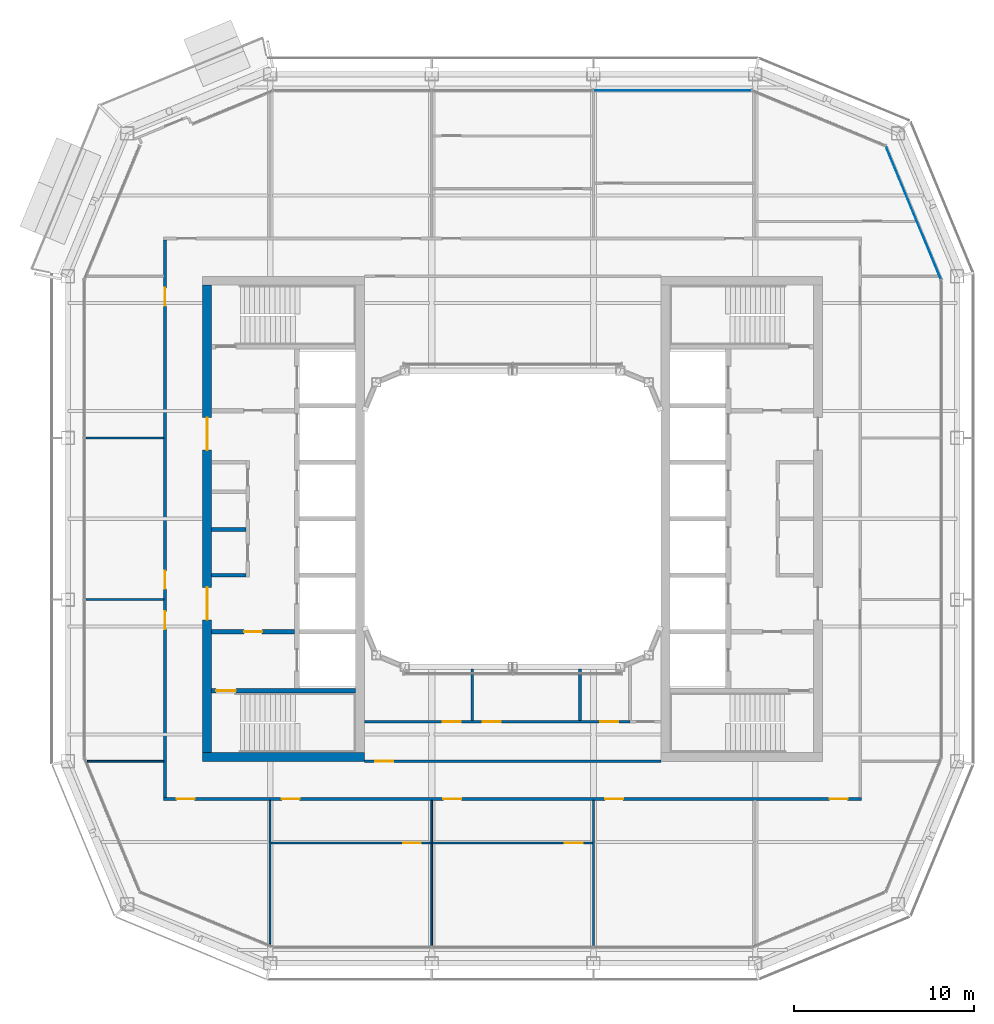
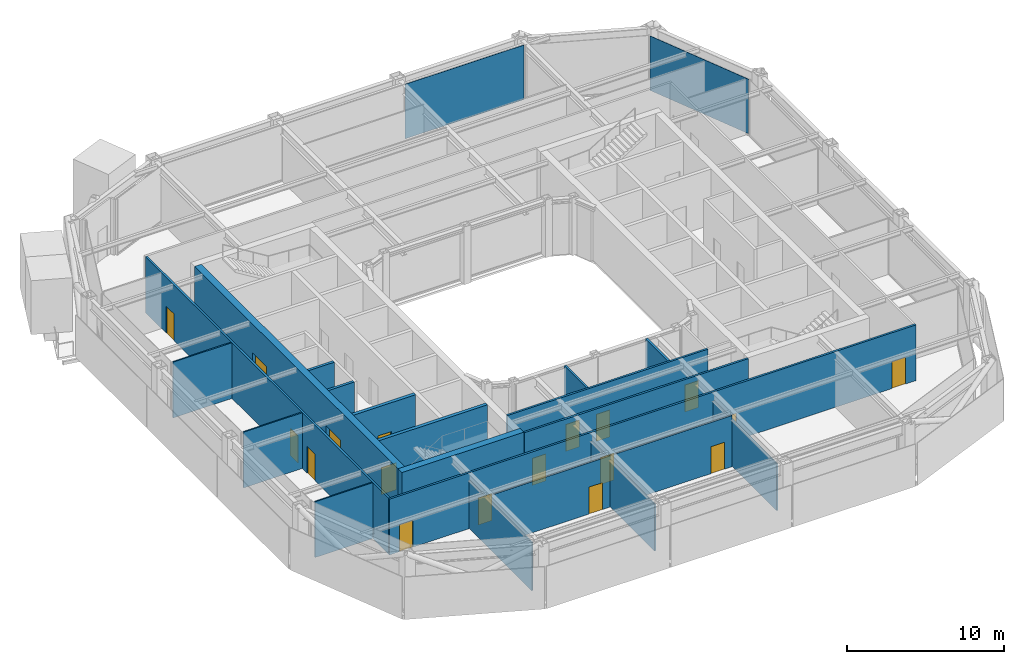
# One storey, part 11 of 21: 20 walls, 18 doors, 2 plates, 18 openings, 2 elements without a shape of their own.
"""IFC4 building model written with IfcOpenShell, lengths in metres."""

from ifc_helpers import new_model, si_unit, direction, frame, frame_2d, origin, origin_2d, place, context, subcontext, project, spatial, rectangle, extrude, material, layer, layer_set, type_object, element, fill, aggregate, save


model = new_model("IFC4")

# Units and contexts
model_context = context("Model", 3, precision=1e-05, world=origin(), true_north=direction((0.0, 1.0)))
body_context = subcontext(model_context, "Body", "Model", "MODEL_VIEW")
ifc_project = project(units=[si_unit("LENGTHUNIT", "METRE"), si_unit("AREAUNIT", "SQUARE_METRE"), si_unit("VOLUMEUNIT", "CUBIC_METRE"), si_unit("PLANEANGLEUNIT", "RADIAN"), si_unit("MASSUNIT", "GRAM", prefix="KILO")], contexts=[model_context])

# Site, building, storey
site_placement = place(None, origin())
site = spatial("IfcSite", under=ifc_project, at=site_placement, CompositionType="ELEMENT")
building_placement = place(site_placement, origin())
building = spatial("IfcBuilding", under=site, at=building_placement, Name="Siwar Civic Tower", CompositionType="ELEMENT")
storey_placement = place(building_placement, frame((0.0, 0.0, 312.199951171875)))
storey = spatial("IfcBuildingStorey", under=building, at=storey_placement, Name="L67", CompositionType="ELEMENT", Elevation=312.199951171875)

# Curtain wall, plate
ifc_material_1 = material(Name="Aluminium and glass", Category="aluminium")
ifc_layer_1 = layer(ifc_material_1, 0.159912109375)
ifc_layer_set_1 = layer_set([ifc_layer_1], Name="Aluminium and glass")
curtain_wall_type_1 = type_object("IfcCurtainWallType", Name="ENV-CW-D", PredefinedType="NOTDEFINED", material=ifc_layer_set_1)
curtain_wall_1_placement = place(storey_placement, origin())
curtain_wall_1 = element("IfcCurtainWall", 1, at=curtain_wall_1_placement, inside=storey, type_object=curtain_wall_type_1, Name="Curtain wall D N", PredefinedType="NOTDEFINED")
ifc_material_2 = material(Name="Glass clear laminated", Category="glass")
ifc_layer_2 = layer(ifc_material_2, 0.030029296875)
ifc_layer_set_2 = layer_set([ifc_layer_2], Name="Glass clear laminated")
plate_type_1 = type_object("IfcPlateType", Name="ENV-PANEL-D", PredefinedType="CURTAIN_PANEL", material=ifc_layer_set_2)
plate_1_placement = place(storey_placement, frame((8.910400390625, 23.85009765625, 0.10009765625), z_axis=(0.0, 0.0, 1.0), x_axis=(-1.0, 0.0, 0.0)))
plate_1 = element("IfcPlate", 2, at=plate_1_placement, type_object=plate_type_1, Name="Curtain panel D N 1", PredefinedType="CURTAIN_PANEL", context=body_context, shape_type="SweptSolid", body=[
    extrude(rectangle(XDim=8.760986328125, YDim=0.030029296875, at=origin_2d()), origin(), (0.0, 0.0, 1.0), 4.25),
])
aggregate(curtain_wall_1, [plate_1])

ifc_material_3 = material(Name="Aluminium clad insulated panel", Category="aluminium")
ifc_layer_3 = layer(ifc_material_3, 0.159912109375)
ifc_layer_set_3 = layer_set([ifc_layer_3], Name="Aluminium clad insulated panel")
curtain_wall_type_2 = type_object("IfcCurtainWallType", Name="ENV-CW-DX", PredefinedType="NOTDEFINED", material=ifc_layer_set_3)
curtain_wall_2_placement = place(storey_placement, origin())
curtain_wall_2 = element("IfcCurtainWall", 3, at=curtain_wall_2_placement, inside=storey, type_object=curtain_wall_type_2, Name="Curtain wall D NE1", PredefinedType="NOTDEFINED")
ifc_material_4 = material(Name="Aluminium clad insulated panel", Category="aluminium")
ifc_layer_4 = layer(ifc_material_4, 0.030029296875)
ifc_layer_set_4 = layer_set([ifc_layer_4], Name="Aluminium clad insulated panel")
plate_type_2 = type_object("IfcPlateType", Name="ENV-PANEL-DX", PredefinedType="CURTAIN_PANEL", material=ifc_layer_set_4)
plate_2_placement = place(storey_placement, frame((22.321044921875, 17.01220703125, 0.10009765625), z_axis=(0.0, 0.0, 1.0), x_axis=(-0.382683432365, 0.923879532511, 0.0)))
plate_2 = element("IfcPlate", 4, at=plate_2_placement, type_object=plate_type_2, Name="Curtain panel D NE1 1", PredefinedType="CURTAIN_PANEL", context=body_context, shape_type="SweptSolid", body=[
    extrude(rectangle(XDim=7.9306640625, YDim=0.030029296875, at=origin_2d()), origin(), (0.0, 0.0, 1.0), 4.25),
])
aggregate(curtain_wall_2, [plate_2])

# Walls
ifc_material_5 = material(Name="Gypsum board on steel studs", Category="steel")
ifc_layer_5 = layer(ifc_material_5, 0.199951171875)
ifc_layer_set_5 = layer_set([ifc_layer_5], Name="Gypsum board on steel studs")
wall_type_1 = type_object("IfcWallType", Name="CORE-PARTITION-200", PredefinedType="PARTITIONING", material=ifc_layer_set_5)
for number, where, z_axis, x_axis, name in (
    (5, (-14.85009765625, -3.14990234375, 0.0), (0.0, 0.0, 1.0), (-1.0, 0.0, 0.0), "Core partition W"),
    (6, (-14.85009765625, -0.60009765625, 0.0), (0.0, 0.0, 1.0), (-1.0, 0.0, 0.0), "Core partition W"),
):
    element("IfcWall", number, at=place(storey_placement, frame(where, z_axis=z_axis, x_axis=x_axis)), inside=storey, type_object=wall_type_1, Name=name, PredefinedType="PARTITIONING", context=body_context, shape_type="SweptSolid", body=[
        extrude(rectangle(XDim=1.89990234375, YDim=0.199951171875, at=frame_2d((0.949951171875, 0.0))), origin(), (0.0, 0.0, 1.0), 4.35009765625),
    ])

# Wall, opening, door
ifc_material_6 = material(Name="Concrete C60/75", Category="concrete")
ifc_layer_6 = layer(ifc_material_6, 0.25)
ifc_layer_set_6 = layer_set([ifc_layer_6], Name="Concrete C60/75")
wall_type_2 = type_object("IfcWallType", Name="CORE-WALL-RC250", PredefinedType="SHEAR", material=ifc_layer_set_6)
wall_1_placement = place(storey_placement, frame((-12.14990234375, -6.300048828125, 0.0), z_axis=(0.0, 0.0, 1.0), x_axis=(-1.0, 0.0, 0.0)))
wall_1 = element("IfcWall", 7, at=wall_1_placement, inside=storey, type_object=wall_type_2, Name="Core wall W", PredefinedType="SHEAR", context=body_context, shape_type="SweptSolid", body=[
    extrude(rectangle(XDim=4.60009765625, YDim=0.25, at=frame_2d((2.300048828125, 0.0))), origin(), (0.0, 0.0, 1.0), 4.35009765625),
])
opening_1_placement = place(wall_1_placement, frame((1.800048828125, 0.0, 0.0)))
opening_1 = element("IfcOpeningElement", 8, at=opening_1_placement, cuts=wall_1, Name="Opening L67-CW02", PredefinedType="OPENING", context=body_context, shape_type="SweptSolid", body=[
    extrude(rectangle(XDim=1.0, YDim=2.10009765625, at=frame_2d((0.5, 1.050048828125))), frame((0.0, 0.135009765625, 0.0), z_axis=(0.0, -1.0, 0.0), x_axis=(1.0, 0.0, 0.0)), (0.0, 0.0, 1.0), 0.27001953125),
])
ifc_material_7 = material(Name="Steel door leaf", Category="steel")
door_type_1 = type_object("IfcDoorType", Name="CORE-DOOR-FD30S", OperationType="SINGLE_SWING_LEFT", PredefinedType="DOOR", material=ifc_material_7)
door_1_placement = place(opening_1_placement, origin())
door_1 = element("IfcDoor", 9, at=door_1_placement, inside=storey, type_object=door_type_1, Name="Service lobby door L67-CW02", OperationType="SINGLE_SWING_RIGHT", OverallHeight=2.10009765625, OverallWidth=1.0, PredefinedType="DOOR", context=body_context, shape_type="SweptSolid", body=[
    extrude(rectangle(XDim=1.0, YDim=2.10009765625, at=frame_2d((0.5, 1.050048828125))), frame((0.0, 0.02490234375, 0.0), z_axis=(0.0, -1.0, 0.0), x_axis=(1.0, 0.0, 0.0)), (0.0, 0.0, 1.0), 0.050048828125),
])
fill(opening_1, door_1)

wall_2_placement = place(storey_placement, frame((-8.75, -9.574951171875, 0.0), z_axis=(0.0, 0.0, 1.0), x_axis=(-1.0, 0.0, 0.0)))
wall_2 = element("IfcWall", 10, at=wall_2_placement, inside=storey, type_object=wall_type_2, Name="Core wall W", PredefinedType="SHEAR", context=body_context, shape_type="SweptSolid", body=[
    extrude(rectangle(XDim=8.0, YDim=0.25, at=frame_2d((4.0, 0.0))), origin(), (0.0, 0.0, 1.0), 4.35009765625),
])
opening_2_placement = place(wall_2_placement, frame((6.64990234375, 0.0, 0.0)))
opening_2 = element("IfcOpeningElement", 11, at=opening_2_placement, cuts=wall_2, Name="Opening L67-CW04", PredefinedType="OPENING", context=body_context, shape_type="SweptSolid", body=[
    extrude(rectangle(XDim=1.10009765625, YDim=2.10009765625, at=frame_2d((0.550048828125, 1.050048828125))), frame((0.0, 0.135009765625, 0.0), z_axis=(0.0, -1.0, 0.0), x_axis=(1.0, 0.0, 0.0)), (0.0, 0.0, 1.0), 0.27001953125),
])
ifc_material_8 = material(Name="Steel door leaf", Category="steel")
door_type_2 = type_object("IfcDoorType", Name="CORE-DOOR-FD60S", OperationType="SINGLE_SWING_LEFT", PredefinedType="DOOR", material=ifc_material_8)
door_2_placement = place(opening_2_placement, origin())
door_2 = element("IfcDoor", 12, at=door_2_placement, inside=storey, type_object=door_type_2, Name="Stair door L67-CW04", OperationType="SINGLE_SWING_LEFT", OverallHeight=2.10009765625, OverallWidth=1.10009765625, PredefinedType="DOOR", context=body_context, shape_type="SweptSolid", body=[
    extrude(rectangle(XDim=1.10009765625, YDim=2.10009765625, at=frame_2d((0.550048828125, 1.050048828125))), frame((0.0, 0.02490234375, 0.0), z_axis=(0.0, -1.0, 0.0), x_axis=(1.0, 0.0, 0.0)), (0.0, 0.0, 1.0), 0.050048828125),
])
fill(opening_2, door_2)

# Wall, openings, doors
ifc_material_9 = material(Name="Concrete C60/75", Category="concrete")
ifc_layer_7 = layer(ifc_material_9, 0.5)
ifc_layer_set_7 = layer_set([ifc_layer_7], Name="Concrete C60/75")
wall_type_3 = type_object("IfcWallType", Name="CORE-WALL-RC500", PredefinedType="SHEAR", material=ifc_layer_set_7)
wall_3_placement = place(storey_placement, frame((-17.0, -13.0, 0.0), z_axis=(0.0, 0.0, 1.0), x_axis=(0.0, 1.0, 0.0)))
wall_3 = element("IfcWall", 13, at=wall_3_placement, inside=storey, type_object=wall_type_3, Name="Core wall W", PredefinedType="SHEAR", context=body_context, shape_type="SweptSolid", body=[
    extrude(rectangle(XDim=26.0, YDim=0.5, at=frame_2d((13.0, 0.0))), origin(), (0.0, 0.0, 1.0), 4.35009765625),
])
opening_3_placement = place(wall_3_placement, frame((16.824951171875, 0.0, 0.0)))
opening_3 = element("IfcOpeningElement", 14, at=opening_3_placement, cuts=wall_3, Name="Opening L67-CW05", PredefinedType="OPENING", context=body_context, shape_type="SweptSolid", body=[
    extrude(rectangle(XDim=1.800048828125, YDim=2.10009765625, at=frame_2d((0.89990234375, 1.050048828125))), frame((0.0, 0.260009765625, 0.0), z_axis=(0.0, -1.0, 0.0), x_axis=(1.0, 0.0, 0.0)), (0.0, 0.0, 1.0), 0.52001953125),
])
opening_4_placement = place(wall_3_placement, frame((7.375, 0.0, 0.0)))
opening_4 = element("IfcOpeningElement", 15, at=opening_4_placement, cuts=wall_3, Name="Opening L67-CW06", PredefinedType="OPENING", context=body_context, shape_type="SweptSolid", body=[
    extrude(rectangle(XDim=1.800048828125, YDim=2.10009765625, at=frame_2d((0.89990234375, 1.050048828125))), frame((0.0, 0.260009765625, 0.0), z_axis=(0.0, -1.0, 0.0), x_axis=(1.0, 0.0, 0.0)), (0.0, 0.0, 1.0), 0.52001953125),
])
ifc_material_10 = material(Name="Steel door leaf", Category="steel")
door_type_3 = type_object("IfcDoorType", Name="CORE-DOOR-PORT", OperationType="DOUBLE_DOOR_DOUBLE_SWING", PredefinedType="DOOR", material=ifc_material_10)
door_3_placement = place(opening_3_placement, origin())
door_3 = element("IfcDoor", 16, at=door_3_placement, inside=storey, type_object=door_type_3, Name="Core entrance door L67-CW05", OperationType="DOUBLE_DOOR_DOUBLE_SWING", OverallHeight=2.10009765625, OverallWidth=1.800048828125, PredefinedType="DOOR", context=body_context, shape_type="SweptSolid", body=[
    extrude(rectangle(XDim=1.800048828125, YDim=2.10009765625, at=frame_2d((0.89990234375, 1.050048828125))), frame((0.0, 0.02490234375, 0.0), z_axis=(0.0, -1.0, 0.0), x_axis=(1.0, 0.0, 0.0)), (0.0, 0.0, 1.0), 0.050048828125),
])
fill(opening_3, door_3)
door_4_placement = place(opening_4_placement, origin())
door_4 = element("IfcDoor", 17, at=door_4_placement, inside=storey, type_object=door_type_3, Name="Core entrance door L67-CW06", OperationType="DOUBLE_DOOR_DOUBLE_SWING", OverallHeight=2.10009765625, OverallWidth=1.800048828125, PredefinedType="DOOR", context=body_context, shape_type="SweptSolid", body=[
    extrude(rectangle(XDim=1.800048828125, YDim=2.10009765625, at=frame_2d((0.89990234375, 1.050048828125))), frame((0.0, 0.02490234375, 0.0), z_axis=(0.0, -1.0, 0.0), x_axis=(1.0, 0.0, 0.0)), (0.0, 0.0, 1.0), 0.050048828125),
])
fill(opening_4, door_4)

# Wall
wall_4_placement = place(storey_placement, frame((-8.25, -13.25, 0.0), z_axis=(0.0, 0.0, 1.0), x_axis=(-1.0, 0.0, 0.0)))
element("IfcWall", 18, at=wall_4_placement, inside=storey, type_object=wall_type_3, Name="Core wall W", PredefinedType="SHEAR", context=body_context, shape_type="SweptSolid", body=[
    extrude(rectangle(XDim=9.0, YDim=0.5, at=frame_2d((4.5, 0.0))), origin(), (0.0, 0.0, 1.0), 4.35009765625),
])

# Wall, openings, doors
ifc_material_11 = material(Name="Gypsum board on steel studs", Category="steel")
ifc_layer_8 = layer(ifc_material_11, 0.14990234375)
ifc_layer_set_8 = layer_set([ifc_layer_8], Name="Gypsum board on steel studs")
wall_type_4 = type_object("IfcWallType", Name="CORRIDOR PARTITION 150 EI 30", PredefinedType="PARTITIONING", material=ifc_layer_set_8)
wall_5_placement = place(storey_placement, frame((-19.425048828125, -15.60009765625, 0.0), z_axis=(0.0, 0.0, 1.0), x_axis=(1.0, 0.0, 0.0)))
wall_5 = element("IfcWall", 19, at=wall_5_placement, inside=storey, type_object=wall_type_4, Name="L67/wall/P02", PredefinedType="PARTITIONING", context=body_context, shape_type="SweptSolid", body=[
    extrude(rectangle(XDim=38.85009765625, YDim=0.14990234375, at=frame_2d((19.425048828125, 0.0))), origin(), (0.0, 0.0, 1.0), 4.35009765625),
])
opening_5_placement = place(wall_5_placement, frame((6.574951171875, 0.0, 0.0)))
opening_5 = element("IfcOpeningElement", 20, at=opening_5_placement, cuts=wall_5, Name="Opening D1", PredefinedType="OPENING", context=body_context, shape_type="SweptSolid", body=[
    extrude(rectangle(XDim=1.0, YDim=2.10009765625, at=frame_2d((0.5, 1.050048828125))), frame((0.0, 0.0849609375, 0.0), z_axis=(0.0, -1.0, 0.0), x_axis=(1.0, 0.0, 0.0)), (0.0, 0.0, 1.0), 0.169921875),
])
opening_6_placement = place(wall_5_placement, frame((15.574951171875, 0.0, 0.0)))
opening_6 = element("IfcOpeningElement", 21, at=opening_6_placement, cuts=wall_5, Name="Opening D1", PredefinedType="OPENING", context=body_context, shape_type="SweptSolid", body=[
    extrude(rectangle(XDim=1.0, YDim=2.10009765625, at=frame_2d((0.5, 1.050048828125))), frame((0.0, 0.0849609375, 0.0), z_axis=(0.0, -1.0, 0.0), x_axis=(1.0, 0.0, 0.0)), (0.0, 0.0, 1.0), 0.169921875),
])
opening_7_placement = place(wall_5_placement, frame((24.574951171875, 0.0, 0.0)))
opening_7 = element("IfcOpeningElement", 22, at=opening_7_placement, cuts=wall_5, Name="Opening D1", PredefinedType="OPENING", context=body_context, shape_type="SweptSolid", body=[
    extrude(rectangle(XDim=1.0, YDim=2.10009765625, at=frame_2d((0.5, 1.050048828125))), frame((0.0, 0.0849609375, 0.0), z_axis=(0.0, -1.0, 0.0), x_axis=(1.0, 0.0, 0.0)), (0.0, 0.0, 1.0), 0.169921875),
])
opening_8_placement = place(wall_5_placement, frame((0.72509765625, 0.0, 0.0)))
opening_8 = element("IfcOpeningElement", 23, at=opening_8_placement, cuts=wall_5, Name="Opening D1", PredefinedType="OPENING", context=body_context, shape_type="SweptSolid", body=[
    extrude(rectangle(XDim=1.0, YDim=2.10009765625, at=frame_2d((0.5, 1.050048828125))), frame((0.0, 0.0849609375, 0.0), z_axis=(0.0, -1.0, 0.0), x_axis=(1.0, 0.0, 0.0)), (0.0, 0.0, 1.0), 0.169921875),
])
opening_9_placement = place(wall_5_placement, frame((37.074951171875, 0.0, 0.0)))
opening_9 = element("IfcOpeningElement", 24, at=opening_9_placement, cuts=wall_5, Name="Opening D1", PredefinedType="OPENING", context=body_context, shape_type="SweptSolid", body=[
    extrude(rectangle(XDim=1.0, YDim=2.10009765625, at=frame_2d((0.5, 1.050048828125))), frame((0.0, 0.0849609375, 0.0), z_axis=(0.0, -1.0, 0.0), x_axis=(1.0, 0.0, 0.0)), (0.0, 0.0, 1.0), 0.169921875),
])
ifc_material_12 = material(Name="Timber, painted", Category="wood")
door_type_4 = type_object("IfcDoorType", Name="DOOR 1000 X 2100 FD30", OperationType="SINGLE_SWING_LEFT", PredefinedType="DOOR", material=ifc_material_12)
door_5_placement = place(opening_5_placement, origin())
door_5 = element("IfcDoor", 25, at=door_5_placement, inside=storey, type_object=door_type_4, Name="L67-D07", OperationType="SINGLE_SWING_LEFT", OverallHeight=2.10009765625, OverallWidth=1.0, PredefinedType="DOOR", context=body_context, shape_type="SweptSolid", body=[
    extrude(rectangle(XDim=1.0, YDim=2.10009765625, at=frame_2d((0.5, 1.050048828125))), frame((0.0, 0.02490234375, 0.0), z_axis=(0.0, -1.0, 0.0), x_axis=(1.0, 0.0, 0.0)), (0.0, 0.0, 1.0), 0.050048828125),
])
fill(opening_5, door_5)
door_6_placement = place(opening_6_placement, origin())
door_6 = element("IfcDoor", 26, at=door_6_placement, inside=storey, type_object=door_type_4, Name="L67-D09", OperationType="SINGLE_SWING_LEFT", OverallHeight=2.10009765625, OverallWidth=1.0, PredefinedType="DOOR", context=body_context, shape_type="SweptSolid", body=[
    extrude(rectangle(XDim=1.0, YDim=2.10009765625, at=frame_2d((0.5, 1.050048828125))), frame((0.0, 0.02490234375, 0.0), z_axis=(0.0, -1.0, 0.0), x_axis=(1.0, 0.0, 0.0)), (0.0, 0.0, 1.0), 0.050048828125),
])
fill(opening_6, door_6)
door_7_placement = place(opening_7_placement, origin())
door_7 = element("IfcDoor", 27, at=door_7_placement, inside=storey, type_object=door_type_4, Name="L67-D11", OperationType="SINGLE_SWING_LEFT", OverallHeight=2.10009765625, OverallWidth=1.0, PredefinedType="DOOR", context=body_context, shape_type="SweptSolid", body=[
    extrude(rectangle(XDim=1.0, YDim=2.10009765625, at=frame_2d((0.5, 1.050048828125))), frame((0.0, 0.02490234375, 0.0), z_axis=(0.0, -1.0, 0.0), x_axis=(1.0, 0.0, 0.0)), (0.0, 0.0, 1.0), 0.050048828125),
])
fill(opening_7, door_7)
door_8_placement = place(opening_8_placement, origin())
door_8 = element("IfcDoor", 28, at=door_8_placement, inside=storey, type_object=door_type_4, Name="L67-D15", OperationType="SINGLE_SWING_LEFT", OverallHeight=2.10009765625, OverallWidth=1.0, PredefinedType="DOOR", context=body_context, shape_type="SweptSolid", body=[
    extrude(rectangle(XDim=1.0, YDim=2.10009765625, at=frame_2d((0.5, 1.050048828125))), frame((0.0, 0.02490234375, 0.0), z_axis=(0.0, -1.0, 0.0), x_axis=(1.0, 0.0, 0.0)), (0.0, 0.0, 1.0), 0.050048828125),
])
fill(opening_8, door_8)
door_9_placement = place(opening_9_placement, origin())
door_9 = element("IfcDoor", 29, at=door_9_placement, inside=storey, type_object=door_type_4, Name="L67-D16", OperationType="SINGLE_SWING_RIGHT", OverallHeight=2.10009765625, OverallWidth=1.0, PredefinedType="DOOR", context=body_context, shape_type="SweptSolid", body=[
    extrude(rectangle(XDim=1.0, YDim=2.10009765625, at=frame_2d((0.5, 1.050048828125))), frame((0.0, 0.02490234375, 0.0), z_axis=(0.0, -1.0, 0.0), x_axis=(1.0, 0.0, 0.0)), (0.0, 0.0, 1.0), 0.050048828125),
])
fill(opening_9, door_9)

# Wall, opening, door
wall_6_placement = place(storey_placement, frame((-8.25, -13.5, 0.0), z_axis=(0.0, 0.0, 1.0), x_axis=(1.0, 0.0, 0.0)))
wall_6 = element("IfcWall", 30, at=wall_6_placement, inside=storey, type_object=wall_type_4, Name="L67/wall/P05", PredefinedType="PARTITIONING", context=body_context, shape_type="SweptSolid", body=[
    extrude(rectangle(XDim=16.5, YDim=0.14990234375, at=frame_2d((8.25, 0.0))), origin(), (0.0, 0.0, 1.0), 4.35009765625),
])
opening_10_placement = place(wall_6_placement, frame((0.60009765625, 0.0, 0.0)))
opening_10 = element("IfcOpeningElement", 31, at=opening_10_placement, cuts=wall_6, Name="Opening D1", PredefinedType="OPENING", context=body_context, shape_type="SweptSolid", body=[
    extrude(rectangle(XDim=1.0, YDim=2.10009765625, at=frame_2d((0.5, 1.050048828125))), frame((0.0, 0.0849609375, 0.0), z_axis=(0.0, -1.0, 0.0), x_axis=(1.0, 0.0, 0.0)), (0.0, 0.0, 1.0), 0.169921875),
])
door_10_placement = place(opening_10_placement, origin())
door_10 = element("IfcDoor", 32, at=door_10_placement, inside=storey, type_object=door_type_4, Name="L67-D24", OperationType="SINGLE_SWING_RIGHT", OverallHeight=2.10009765625, OverallWidth=1.0, PredefinedType="DOOR", context=body_context, shape_type="SweptSolid", body=[
    extrude(rectangle(XDim=1.0, YDim=2.10009765625, at=frame_2d((0.5, 1.050048828125))), frame((0.0, 0.02490234375, 0.0), z_axis=(0.0, -1.0, 0.0), x_axis=(1.0, 0.0, 0.0)), (0.0, 0.0, 1.0), 0.050048828125),
])
fill(opening_10, door_10)

# Wall, openings, doors
wall_7_placement = place(storey_placement, frame((-8.25, -11.300048828125, 0.0), z_axis=(0.0, 0.0, 1.0), x_axis=(1.0, 0.0, 0.0)))
wall_7 = element("IfcWall", 33, at=wall_7_placement, inside=storey, type_object=wall_type_4, Name="L67/wall/P06", PredefinedType="PARTITIONING", context=body_context, shape_type="SweptSolid", body=[
    extrude(rectangle(XDim=14.7900390625, YDim=0.14990234375, at=frame_2d((7.39501953125, 0.0))), origin(), (0.0, 0.0, 1.0), 4.35009765625),
])
opening_11_placement = place(wall_7_placement, frame((4.35009765625, 0.0, 0.0)))
opening_11 = element("IfcOpeningElement", 34, at=opening_11_placement, cuts=wall_7, Name="Opening D3", PredefinedType="OPENING", context=body_context, shape_type="SweptSolid", body=[
    extrude(rectangle(XDim=1.0, YDim=2.10009765625, at=frame_2d((0.5, 1.050048828125))), frame((0.0, 0.0849609375, 0.0), z_axis=(0.0, -1.0, 0.0), x_axis=(1.0, 0.0, 0.0)), (0.0, 0.0, 1.0), 0.169921875),
])
opening_12_placement = place(wall_7_placement, frame((6.60009765625, 0.0, 0.0)))
opening_12 = element("IfcOpeningElement", 35, at=opening_12_placement, cuts=wall_7, Name="Opening D3", PredefinedType="OPENING", context=body_context, shape_type="SweptSolid", body=[
    extrude(rectangle(XDim=1.0, YDim=2.10009765625, at=frame_2d((0.5, 1.050048828125))), frame((0.0, 0.0849609375, 0.0), z_axis=(0.0, -1.0, 0.0), x_axis=(1.0, 0.0, 0.0)), (0.0, 0.0, 1.0), 0.169921875),
])
opening_13_placement = place(wall_7_placement, frame((13.139892578125, 0.0, 0.0)))
opening_13 = element("IfcOpeningElement", 36, at=opening_13_placement, cuts=wall_7, Name="Opening D3", PredefinedType="OPENING", context=body_context, shape_type="SweptSolid", body=[
    extrude(rectangle(XDim=1.0, YDim=2.10009765625, at=frame_2d((0.5, 1.050048828125))), frame((0.0, 0.0849609375, 0.0), z_axis=(0.0, -1.0, 0.0), x_axis=(1.0, 0.0, 0.0)), (0.0, 0.0, 1.0), 0.169921875),
])
ifc_material_13 = material(Name="Timber, painted", Category="wood")
door_type_5 = type_object("IfcDoorType", Name="DOOR 1000 X 2100 WC", OperationType="SINGLE_SWING_LEFT", PredefinedType="DOOR", material=ifc_material_13)
door_11_placement = place(opening_11_placement, origin())
door_11 = element("IfcDoor", 37, at=door_11_placement, inside=storey, type_object=door_type_5, Name="L67-D25", OperationType="SINGLE_SWING_LEFT", OverallHeight=2.10009765625, OverallWidth=1.0, PredefinedType="DOOR", context=body_context, shape_type="SweptSolid", body=[
    extrude(rectangle(XDim=1.0, YDim=2.10009765625, at=frame_2d((0.5, 1.050048828125))), frame((0.0, 0.02490234375, 0.0), z_axis=(0.0, -1.0, 0.0), x_axis=(1.0, 0.0, 0.0)), (0.0, 0.0, 1.0), 0.050048828125),
])
fill(opening_11, door_11)
door_12_placement = place(opening_12_placement, origin())
door_12 = element("IfcDoor", 38, at=door_12_placement, inside=storey, type_object=door_type_5, Name="L67-D26", OperationType="SINGLE_SWING_RIGHT", OverallHeight=2.10009765625, OverallWidth=1.0, PredefinedType="DOOR", context=body_context, shape_type="SweptSolid", body=[
    extrude(rectangle(XDim=1.0, YDim=2.10009765625, at=frame_2d((0.5, 1.050048828125))), frame((0.0, 0.02490234375, 0.0), z_axis=(0.0, -1.0, 0.0), x_axis=(1.0, 0.0, 0.0)), (0.0, 0.0, 1.0), 0.050048828125),
])
fill(opening_12, door_12)
door_13_placement = place(opening_13_placement, origin())
door_13 = element("IfcDoor", 39, at=door_13_placement, inside=storey, type_object=door_type_5, Name="L67-D27", OperationType="SINGLE_SWING_LEFT", OverallHeight=2.10009765625, OverallWidth=1.0, PredefinedType="DOOR", context=body_context, shape_type="SweptSolid", body=[
    extrude(rectangle(XDim=1.0, YDim=2.10009765625, at=frame_2d((0.5, 1.050048828125))), frame((0.0, 0.02490234375, 0.0), z_axis=(0.0, -1.0, 0.0), x_axis=(1.0, 0.0, 0.0)), (0.0, 0.0, 1.0), 0.050048828125),
])
fill(opening_13, door_13)

wall_8_placement = place(storey_placement, frame((-19.35009765625, -15.52490234375, 0.0), z_axis=(0.0, 0.0, 1.0), x_axis=(0.0, 1.0, 0.0)))
wall_8 = element("IfcWall", 40, at=wall_8_placement, inside=storey, type_object=wall_type_4, Name="L67/wall/P20", PredefinedType="PARTITIONING", context=body_context, shape_type="SweptSolid", body=[
    extrude(rectangle(XDim=31.0498046875, YDim=0.14990234375, at=frame_2d((15.52490234375, 0.0))), origin(), (0.0, 0.0, 1.0), 4.35009765625),
])
opening_14_placement = place(wall_8_placement, frame((9.375, 0.0, 0.0)))
opening_14 = element("IfcOpeningElement", 41, at=opening_14_placement, cuts=wall_8, Name="Opening D1", PredefinedType="OPENING", context=body_context, shape_type="SweptSolid", body=[
    extrude(rectangle(XDim=1.0, YDim=2.10009765625, at=frame_2d((0.5, 1.050048828125))), frame((0.0, 0.0849609375, 0.0), z_axis=(0.0, -1.0, 0.0), x_axis=(1.0, 0.0, 0.0)), (0.0, 0.0, 1.0), 0.169921875),
])
opening_15_placement = place(wall_8_placement, frame((11.625, 0.0, 0.0)))
opening_15 = element("IfcOpeningElement", 42, at=opening_15_placement, cuts=wall_8, Name="Opening D1", PredefinedType="OPENING", context=body_context, shape_type="SweptSolid", body=[
    extrude(rectangle(XDim=1.0, YDim=2.10009765625, at=frame_2d((0.5, 1.050048828125))), frame((0.0, 0.0849609375, 0.0), z_axis=(0.0, -1.0, 0.0), x_axis=(1.0, 0.0, 0.0)), (0.0, 0.0, 1.0), 0.169921875),
])
opening_16_placement = place(wall_8_placement, frame((27.375, 0.0, 0.0)))
opening_16 = element("IfcOpeningElement", 43, at=opening_16_placement, cuts=wall_8, Name="Opening D1", PredefinedType="OPENING", context=body_context, shape_type="SweptSolid", body=[
    extrude(rectangle(XDim=1.0, YDim=2.10009765625, at=frame_2d((0.5, 1.050048828125))), frame((0.0, 0.0849609375, 0.0), z_axis=(0.0, -1.0, 0.0), x_axis=(1.0, 0.0, 0.0)), (0.0, 0.0, 1.0), 0.169921875),
])
door_14_placement = place(opening_14_placement, origin())
door_14 = element("IfcDoor", 44, at=door_14_placement, inside=storey, type_object=door_type_4, Name="L67-D17", OperationType="SINGLE_SWING_LEFT", OverallHeight=2.10009765625, OverallWidth=1.0, PredefinedType="DOOR", context=body_context, shape_type="SweptSolid", body=[
    extrude(rectangle(XDim=1.0, YDim=2.10009765625, at=frame_2d((0.5, 1.050048828125))), frame((0.0, 0.02490234375, 0.0), z_axis=(0.0, -1.0, 0.0), x_axis=(1.0, 0.0, 0.0)), (0.0, 0.0, 1.0), 0.050048828125),
])
fill(opening_14, door_14)
door_15_placement = place(opening_15_placement, origin())
door_15 = element("IfcDoor", 45, at=door_15_placement, inside=storey, type_object=door_type_4, Name="L67-D18", OperationType="SINGLE_SWING_RIGHT", OverallHeight=2.10009765625, OverallWidth=1.0, PredefinedType="DOOR", context=body_context, shape_type="SweptSolid", body=[
    extrude(rectangle(XDim=1.0, YDim=2.10009765625, at=frame_2d((0.5, 1.050048828125))), frame((0.0, 0.02490234375, 0.0), z_axis=(0.0, -1.0, 0.0), x_axis=(1.0, 0.0, 0.0)), (0.0, 0.0, 1.0), 0.050048828125),
])
fill(opening_15, door_15)
door_16_placement = place(opening_16_placement, origin())
door_16 = element("IfcDoor", 46, at=door_16_placement, inside=storey, type_object=door_type_4, Name="L67-D19", OperationType="SINGLE_SWING_LEFT", OverallHeight=2.10009765625, OverallWidth=1.0, PredefinedType="DOOR", context=body_context, shape_type="SweptSolid", body=[
    extrude(rectangle(XDim=1.0, YDim=2.10009765625, at=frame_2d((0.5, 1.050048828125))), frame((0.0, 0.02490234375, 0.0), z_axis=(0.0, -1.0, 0.0), x_axis=(1.0, 0.0, 0.0)), (0.0, 0.0, 1.0), 0.050048828125),
])
fill(opening_16, door_16)

# Walls
for number, where, z_axis, x_axis, name in (
    (47, (-2.25, -11.22509765625, 0.0), (0.0, 0.0, 1.0), (0.0, 1.0, 0.0), "L67/wall/P26"),
    (48, (3.75, -11.22509765625, 0.0), (0.0, 0.0, 1.0), (0.0, 1.0, 0.0), "L67/wall/P27"),
):
    element("IfcWall", number, at=place(storey_placement, frame(where, z_axis=z_axis, x_axis=x_axis)), inside=storey, type_object=wall_type_4, Name=name, PredefinedType="PARTITIONING", context=body_context, shape_type="SweptSolid", body=[
        extrude(rectangle(XDim=2.85498046875, YDim=0.14990234375, at=frame_2d((1.427490234375, 0.0))), origin(), (0.0, 0.0, 1.0), 4.35009765625),
    ])

# Wall, openings, doors
ifc_material_14 = material(Name="Gypsum board on steel studs", Category="steel")
ifc_layer_9 = layer(ifc_material_14, 0.10009765625)
ifc_layer_set_9 = layer_set([ifc_layer_9], Name="Gypsum board on steel studs")
wall_type_5 = type_object("IfcWallType", Name="PARTITION 100 GYPSUM", PredefinedType="PARTITIONING", material=ifc_layer_set_9)
wall_9_placement = place(storey_placement, frame((-13.449951171875, -18.048095703125, 0.0), z_axis=(0.0, 0.0, 1.0), x_axis=(1.0, 0.0, 0.0)))
wall_9 = element("IfcWall", 49, at=wall_9_placement, inside=storey, type_object=wall_type_5, Name="L67/wall/P01", PredefinedType="PARTITIONING", context=body_context, shape_type="SweptSolid", body=[
    extrude(rectangle(XDim=17.89990234375, YDim=0.10009765625, at=frame_2d((8.949951171875, 0.0))), origin(), (0.0, 0.0, 1.0), 3.989990234375),
])
opening_17_placement = place(wall_9_placement, frame((7.35009765625, 0.0, 0.0)))
opening_17 = element("IfcOpeningElement", 50, at=opening_17_placement, cuts=wall_9, Name="Opening D2", PredefinedType="OPENING", context=body_context, shape_type="SweptSolid", body=[
    extrude(rectangle(XDim=1.0, YDim=2.10009765625, at=frame_2d((0.5, 1.050048828125))), frame((0.0, 0.06005859375, 0.0), z_axis=(0.0, -1.0, 0.0), x_axis=(1.0, 0.0, 0.0)), (0.0, 0.0, 1.0), 0.1201171875),
])
opening_18_placement = place(wall_9_placement, frame((16.35009765625, 0.0, 0.0)))
opening_18 = element("IfcOpeningElement", 51, at=opening_18_placement, cuts=wall_9, Name="Opening D2", PredefinedType="OPENING", context=body_context, shape_type="SweptSolid", body=[
    extrude(rectangle(XDim=1.0, YDim=2.10009765625, at=frame_2d((0.5, 1.050048828125))), frame((0.0, 0.06005859375, 0.0), z_axis=(0.0, -1.0, 0.0), x_axis=(1.0, 0.0, 0.0)), (0.0, 0.0, 1.0), 0.1201171875),
])
ifc_material_15 = material(Name="Timber, painted", Category="wood")
door_type_6 = type_object("IfcDoorType", Name="DOOR 1000 X 2100", OperationType="SINGLE_SWING_LEFT", PredefinedType="DOOR", material=ifc_material_15)
door_17_placement = place(opening_17_placement, origin())
door_17 = element("IfcDoor", 52, at=door_17_placement, inside=storey, type_object=door_type_6, Name="L67-D08", OperationType="SINGLE_SWING_RIGHT", OverallHeight=2.10009765625, OverallWidth=1.0, PredefinedType="DOOR", context=body_context, shape_type="SweptSolid", body=[
    extrude(rectangle(XDim=1.0, YDim=2.10009765625, at=frame_2d((0.5, 1.050048828125))), frame((0.0, 0.02490234375, 0.0), z_axis=(0.0, -1.0, 0.0), x_axis=(1.0, 0.0, 0.0)), (0.0, 0.0, 1.0), 0.050048828125),
])
fill(opening_17, door_17)
door_18_placement = place(opening_18_placement, origin())
door_18 = element("IfcDoor", 53, at=door_18_placement, inside=storey, type_object=door_type_6, Name="L67-D10", OperationType="SINGLE_SWING_RIGHT", OverallHeight=2.10009765625, OverallWidth=1.0, PredefinedType="DOOR", context=body_context, shape_type="SweptSolid", body=[
    extrude(rectangle(XDim=1.0, YDim=2.10009765625, at=frame_2d((0.5, 1.050048828125))), frame((0.0, 0.02490234375, 0.0), z_axis=(0.0, -1.0, 0.0), x_axis=(1.0, 0.0, 0.0)), (0.0, 0.0, 1.0), 0.050048828125),
])
fill(opening_18, door_18)

# Walls
wall_10_placement = place(storey_placement, frame((-23.677978515625, -13.5, 0.0), z_axis=(0.0, 0.0, 1.0), x_axis=(1.0, 0.0, 0.0)))
element("IfcWall", 54, at=wall_10_placement, inside=storey, type_object=wall_type_5, Name="L67/wall/P03", PredefinedType="PARTITIONING", context=body_context, shape_type="SweptSolid", body=[
    extrude(rectangle(XDim=4.2529296875, YDim=0.10009765625, at=frame_2d((2.12646484375, 0.0))), origin(), (0.0, 0.0, 1.0), 4.35009765625),
])
for number, where, z_axis, x_axis, name in (
    (55, (-23.760009765625, -4.5, 0.0), (0.0, 0.0, 1.0), (1.0, 0.0, 0.0), "L67/wall/P08"),
    (56, (-23.760009765625, 4.5, 0.0), (0.0, 0.0, 1.0), (1.0, 0.0, 0.0), "L67/wall/P10"),
):
    element("IfcWall", number, at=place(storey_placement, frame(where, z_axis=z_axis, x_axis=x_axis)), inside=storey, type_object=wall_type_5, Name=name, PredefinedType="PARTITIONING", context=body_context, shape_type="SweptSolid", body=[
        extrude(rectangle(XDim=4.3349609375, YDim=0.10009765625, at=frame_2d((2.16748046875, 0.0))), origin(), (0.0, 0.0, 1.0), 4.35009765625),
    ])
wall_11_placement = place(storey_placement, frame((-13.5, -23.677978515625, 0.0), z_axis=(0.0, 0.0, 1.0), x_axis=(0.0, 1.0, 0.0)))
element("IfcWall", 57, at=wall_11_placement, inside=storey, type_object=wall_type_5, Name="L67/wall/P21", PredefinedType="PARTITIONING", context=body_context, shape_type="SweptSolid", body=[
    extrude(rectangle(XDim=8.0029296875, YDim=0.10009765625, at=frame_2d((4.00146484375, 0.0))), origin(), (0.0, 0.0, 1.0), 3.75),
])
wall_12_placement = place(storey_placement, frame((-4.5, -23.760009765625, 0.0), z_axis=(0.0, 0.0, 1.0), x_axis=(0.0, 1.0, 0.0)))
element("IfcWall", 58, at=wall_12_placement, inside=storey, type_object=wall_type_5, Name="L67/wall/P23", PredefinedType="PARTITIONING", context=body_context, shape_type="SweptSolid", body=[
    extrude(rectangle(XDim=5.662109375, YDim=0.10009765625, at=frame_2d((2.8310546875, 0.0))), origin(), (0.0, 0.0, 1.0), 3.650146484375),
])
wall_13_placement = place(storey_placement, frame((-4.5, -17.998046875, 0.0), z_axis=(0.0, 0.0, 1.0), x_axis=(0.0, 1.0, 0.0)))
element("IfcWall", 59, at=wall_13_placement, inside=storey, type_object=wall_type_5, Name="L67/wall/P24", PredefinedType="PARTITIONING", context=body_context, shape_type="SweptSolid", body=[
    extrude(rectangle(XDim=2.322998046875, YDim=0.10009765625, at=frame_2d((1.16162109375, 0.0))), origin(), (0.0, 0.0, 1.0), 3.650146484375),
])
wall_14_placement = place(storey_placement, frame((4.5, -23.760009765625, 0.0), z_axis=(0.0, 0.0, 1.0), x_axis=(0.0, 1.0, 0.0)))
element("IfcWall", 60, at=wall_14_placement, inside=storey, type_object=wall_type_5, Name="L67/wall/P28", PredefinedType="PARTITIONING", context=body_context, shape_type="SweptSolid", body=[
    extrude(rectangle(XDim=8.0849609375, YDim=0.10009765625, at=frame_2d((4.04248046875, 0.0))), origin(), (0.0, 0.0, 1.0), 3.650146484375),
])

save(model, "model.ifc")
